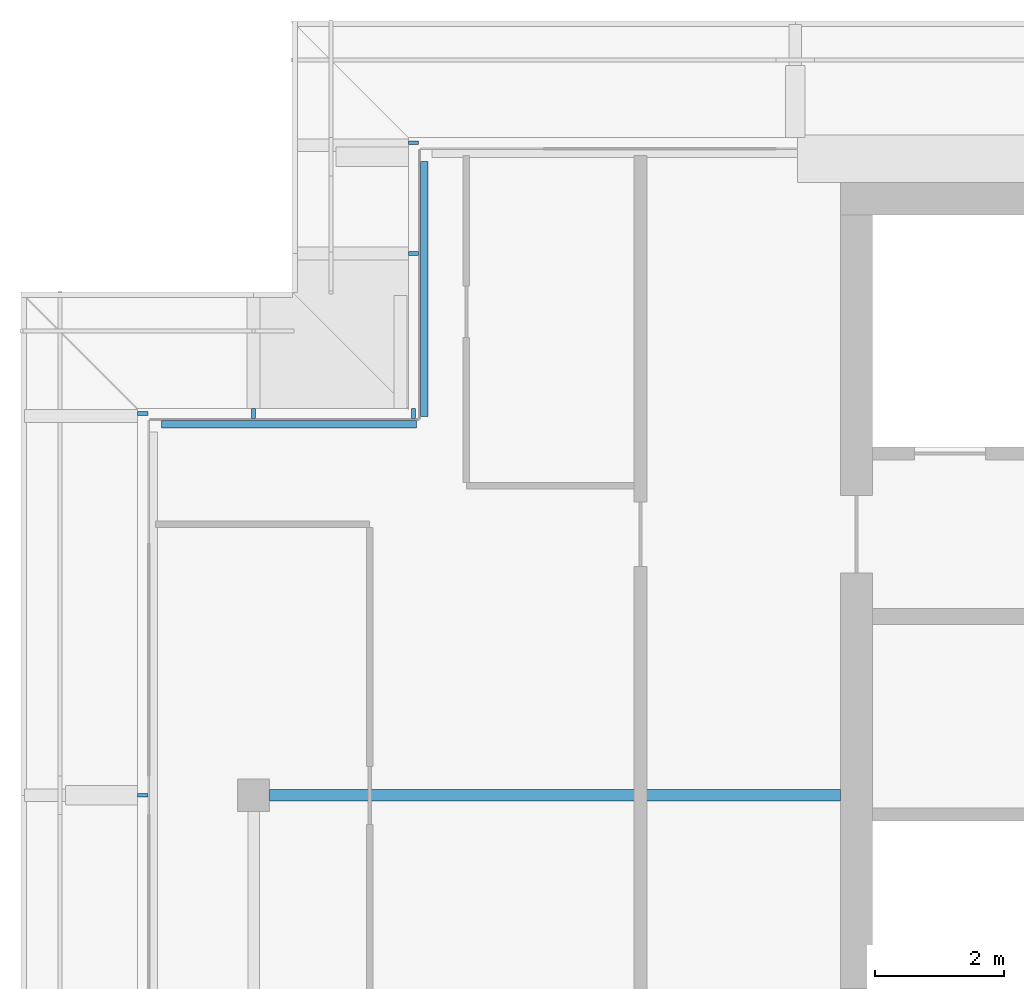
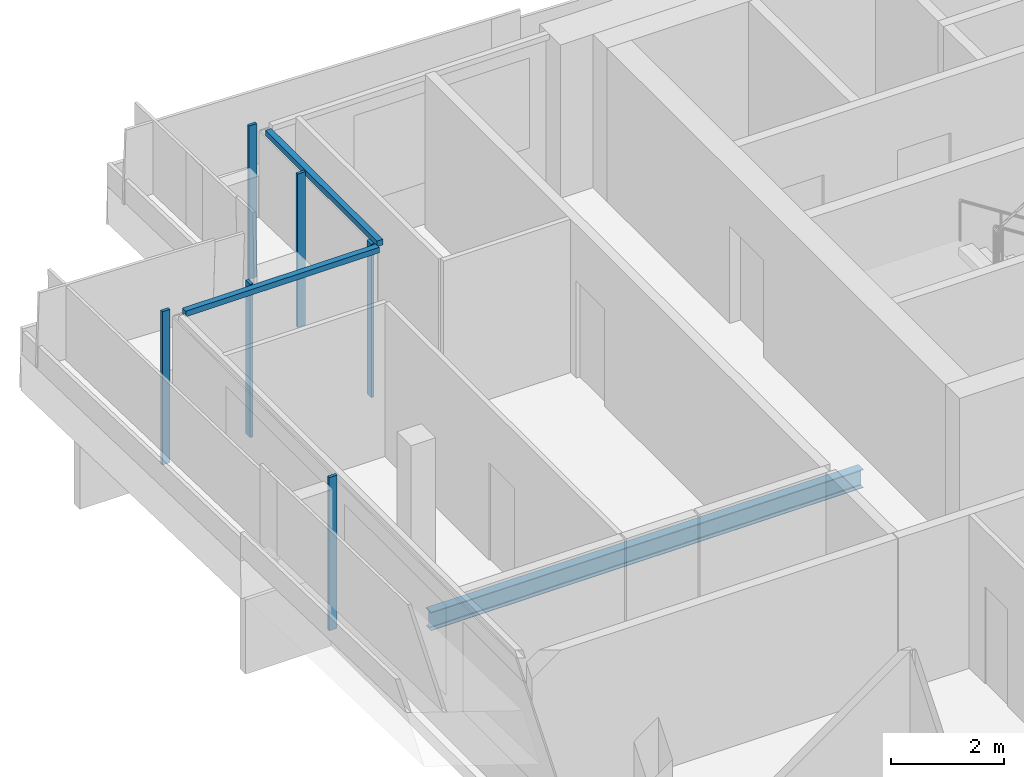
# One storey, part 8 of 26: 8 members, 1 beam, 3 elements without a shape of their own.
"""IFC4 building model written with IfcOpenShell, lengths in metres."""

from ifc_helpers import new_model, si_unit, direction, frame, origin, origin_2d, place, context, subcontext, project, spatial, rectangle, i_section, extrude, material, material_profile, profile_set, type_object, element, aggregate, save


model = new_model("IFC4")

# Units and contexts
model_context = context("Model", 3, precision=1e-05, world=origin(), true_north=direction((0.0, 1.0)))
body_context = subcontext(model_context, "Body", "Model", "MODEL_VIEW")
ifc_project = project(units=[si_unit("LENGTHUNIT", "METRE"), si_unit("AREAUNIT", "SQUARE_METRE"), si_unit("VOLUMEUNIT", "CUBIC_METRE"), si_unit("PLANEANGLEUNIT", "RADIAN"), si_unit("MASSUNIT", "GRAM", prefix="KILO")], contexts=[model_context])

# Site, building, storey
site_placement = place(None, origin())
site = spatial("IfcSite", under=ifc_project, at=site_placement, CompositionType="ELEMENT")
building_placement = place(site_placement, origin())
building = spatial("IfcBuilding", under=site, at=building_placement, Name="Saffron Gate Tower", CompositionType="ELEMENT")
storey_placement = place(building_placement, frame((0.0, 0.0, 277.949951171875)))
storey = spatial("IfcBuildingStorey", under=building, at=storey_placement, Name="L67", CompositionType="ELEMENT", Elevation=277.949951171875)

# Beam
ifc_material_1 = material(Name="Structural steel S355", Category="steel")
ifc_material_profile_1 = material_profile(ifc_material_1, i_section(OverallWidth=0.179931640625, OverallDepth=0.39990234375, WebThickness=0.008544921875, FlangeThickness=0.013427734375, FilletRadius=0.02099609375, at=origin_2d()))
ifc_profile_set_1 = profile_set([ifc_material_profile_1], Name="Structural steel S355")
beam_type = type_object("IfcBeamType", Name="B4 IPE 400", PredefinedType="BEAM", material=ifc_profile_set_1)
beam_placement = place(storey_placement, frame((58.449951171875, 65.39990234375, -0.47998046875), z_axis=(1.0, 0.0, 0.0), x_axis=(0.0, 1.0, 0.0)))
element("IfcBeam", 1, at=beam_placement, inside=storey, type_object=beam_type, Name="B4 CORE TIE BEAM", PredefinedType="BEAM", context=body_context, shape_type="SweptSolid", body=[
    extrude(i_section(OverallWidth=0.179931640625, OverallDepth=0.39990234375, WebThickness=0.008544921875, FlangeThickness=0.013427734375, FilletRadius=0.02099609375, at=origin_2d()), origin(), (0.0, 0.0, 1.0), 8.85009765625),
])

# Curtain wall, members
ifc_material_2 = material(Name="Aluminium, bronze anodised", Category="aluminium")
curtain_wall_type_1 = type_object("IfcCurtainWallType", Name="CWS2 curtain wall side facades", PredefinedType="NOTDEFINED", material=ifc_material_2)
curtain_wall_1_placement = place(storey_placement, origin())
curtain_wall_1 = element("IfcCurtainWall", 2, at=curtain_wall_1_placement, inside=storey, type_object=curtain_wall_type_1, Name="CWS2 run 10", PredefinedType="NOTDEFINED")
ifc_material_profile_2 = material_profile(ifc_material_2, rectangle(XDim=0.159912109375, YDim=0.06005859375, at=origin_2d()))
ifc_profile_set_2 = profile_set([ifc_material_profile_2], Name="Aluminium, bronze anodised")
member_type_1 = type_object("IfcMemberType", Name="CWS2 mullion 60x160", PredefinedType="MULLION", material=ifc_profile_set_2)
member_1_placement = place(storey_placement, frame((56.47998046875, 71.320068359375, 0.0), z_axis=(0.0, 0.0, 1.0), x_axis=(1.0, 0.0, 0.0)))
member_1 = element("IfcMember", 3, at=member_1_placement, type_object=member_type_1, Name="CWS2 mullion 1", PredefinedType="MULLION", context=body_context, shape_type="SweptSolid", body=[
    extrude(rectangle(XDim=0.159912109375, YDim=0.06005859375, at=origin_2d()), origin(), (0.0, 0.0, 1.0), 3.320068359375),
])
member_2_placement = place(storey_placement, frame((56.47998046875, 65.39990234375, 0.0), z_axis=(0.0, 0.0, 1.0), x_axis=(1.0, 0.0, 0.0)))
member_2 = element("IfcMember", 4, at=member_2_placement, type_object=member_type_1, Name="CWS2 mullion 2", PredefinedType="MULLION", context=body_context, shape_type="SweptSolid", body=[
    extrude(rectangle(XDim=0.159912109375, YDim=0.06005859375, at=origin_2d()), origin(), (0.0, 0.0, 1.0), 3.320068359375),
])
aggregate(curtain_wall_1, [member_1, member_2])

# Curtain wall, member
curtain_wall_type_2 = type_object("IfcCurtainWallType", Name="CWS4 curtain wall corner returns", PredefinedType="NOTDEFINED", material=ifc_material_2)
curtain_wall_2_placement = place(storey_placement, origin())
curtain_wall_2 = element("IfcCurtainWall", 5, at=curtain_wall_2_placement, inside=storey, type_object=curtain_wall_type_2, Name="CWS4 run 8", PredefinedType="NOTDEFINED")
ifc_material_profile_3 = material_profile(ifc_material_2, rectangle(XDim=0.1201171875, YDim=0.1201171875, at=origin_2d()))
ifc_profile_set_3 = profile_set([ifc_material_profile_3], Name="Aluminium, bronze anodised")
member_type_2 = type_object("IfcMemberType", Name="CWS4 head transom", PredefinedType="USERDEFINED", material=ifc_profile_set_3)
member_3_placement = place(storey_placement, frame((60.847900390625, 75.23193359375, 3.260009765625), z_axis=(0.0, -1.0, 0.0), x_axis=(1.0, 0.0, 0.0)))
member_3 = element("IfcMember", 6, at=member_3_placement, type_object=member_type_2, Name="CWS4 head transom", ObjectType="TRANSOM", PredefinedType="USERDEFINED", context=body_context, shape_type="SweptSolid", body=[
    extrude(rectangle(XDim=0.1201171875, YDim=0.1201171875, at=origin_2d()), origin(), (0.0, 0.0, 1.0), 3.9599609375),
])

curtain_wall_3_placement = place(storey_placement, origin())
curtain_wall_3 = element("IfcCurtainWall", 7, at=curtain_wall_3_placement, inside=storey, type_object=curtain_wall_type_2, Name="CWS4 run 9", PredefinedType="NOTDEFINED")
member_4_placement = place(storey_placement, frame((60.72802734375, 71.152099609375, 3.260009765625), z_axis=(-1.0, 0.0, 0.0), x_axis=(0.0, -1.0, 0.0)))
member_4 = element("IfcMember", 8, at=member_4_placement, type_object=member_type_2, Name="CWS4 head transom", ObjectType="TRANSOM", PredefinedType="USERDEFINED", context=body_context, shape_type="SweptSolid", body=[
    extrude(rectangle(XDim=0.1201171875, YDim=0.1201171875, at=origin_2d()), origin(), (0.0, 0.0, 1.0), 3.9599609375),
])

# Member
ifc_material_profile_4 = material_profile(ifc_material_2, rectangle(XDim=0.159912109375, YDim=0.06005859375, at=origin_2d()))
ifc_profile_set_4 = profile_set([ifc_material_profile_4], Name="Aluminium, bronze anodised")
member_type_3 = type_object("IfcMemberType", Name="CWS4 mullion 60x160", PredefinedType="MULLION", material=ifc_profile_set_4)
member_5_placement = place(storey_placement, frame((60.679931640625, 75.52001953125, 0.0), z_axis=(0.0, 0.0, 1.0), x_axis=(1.0, 0.0, 0.0)))
member_5 = element("IfcMember", 9, at=member_5_placement, type_object=member_type_3, Name="CWS4 mullion 1", PredefinedType="MULLION", context=body_context, shape_type="SweptSolid", body=[
    extrude(rectangle(XDim=0.159912109375, YDim=0.06005859375, at=origin_2d()), origin(), (0.0, 0.0, 1.0), 3.320068359375),
])

member_6_placement = place(storey_placement, frame((60.679931640625, 73.800048828125, 0.0), z_axis=(0.0, 0.0, 1.0), x_axis=(1.0, 0.0, 0.0)))
member_6 = element("IfcMember", 10, at=member_6_placement, type_object=member_type_3, Name="CWS4 mullion 2", PredefinedType="MULLION", context=body_context, shape_type="SweptSolid", body=[
    extrude(rectangle(XDim=0.159912109375, YDim=0.06005859375, at=origin_2d()), origin(), (0.0, 0.0, 1.0), 3.320068359375),
])

aggregate(curtain_wall_2, [member_5, member_6, member_3])

member_7_placement = place(storey_placement, frame((60.679931640625, 71.320068359375, 0.0), z_axis=(0.0, 0.0, 1.0), x_axis=(0.0, -1.0, 0.0)))
member_7 = element("IfcMember", 11, at=member_7_placement, type_object=member_type_3, Name="CWS4 mullion 1", PredefinedType="MULLION", context=body_context, shape_type="SweptSolid", body=[
    extrude(rectangle(XDim=0.159912109375, YDim=0.06005859375, at=origin_2d()), origin(), (0.0, 0.0, 1.0), 3.320068359375),
])

member_8_placement = place(storey_placement, frame((58.199951171875, 71.320068359375, 0.0), z_axis=(0.0, 0.0, 1.0), x_axis=(0.0, -1.0, 0.0)))
member_8 = element("IfcMember", 12, at=member_8_placement, type_object=member_type_3, Name="CWS4 mullion 2", PredefinedType="MULLION", context=body_context, shape_type="SweptSolid", body=[
    extrude(rectangle(XDim=0.159912109375, YDim=0.06005859375, at=origin_2d()), origin(), (0.0, 0.0, 1.0), 3.320068359375),
])

aggregate(curtain_wall_3, [member_7, member_8, member_4])

save(model, "model.ifc")
